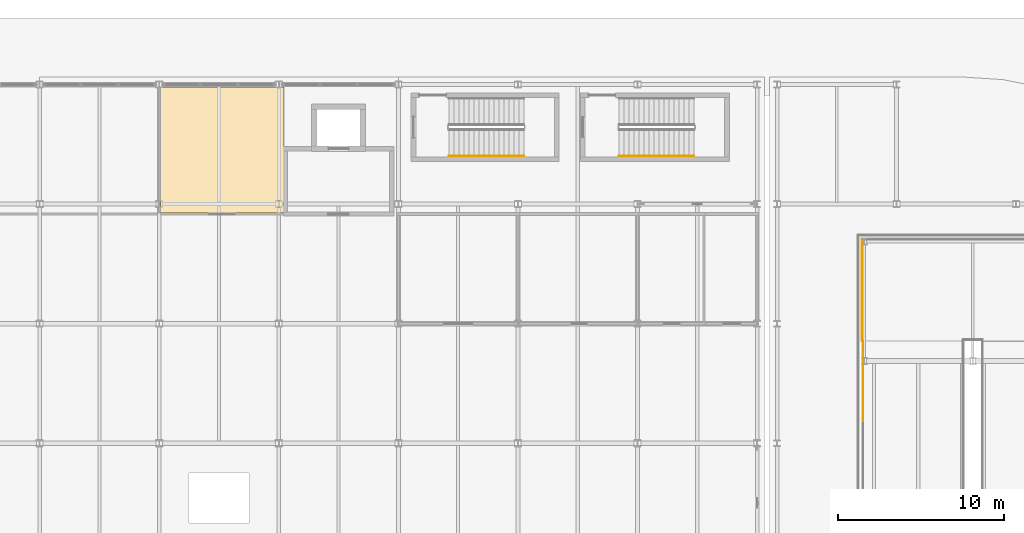
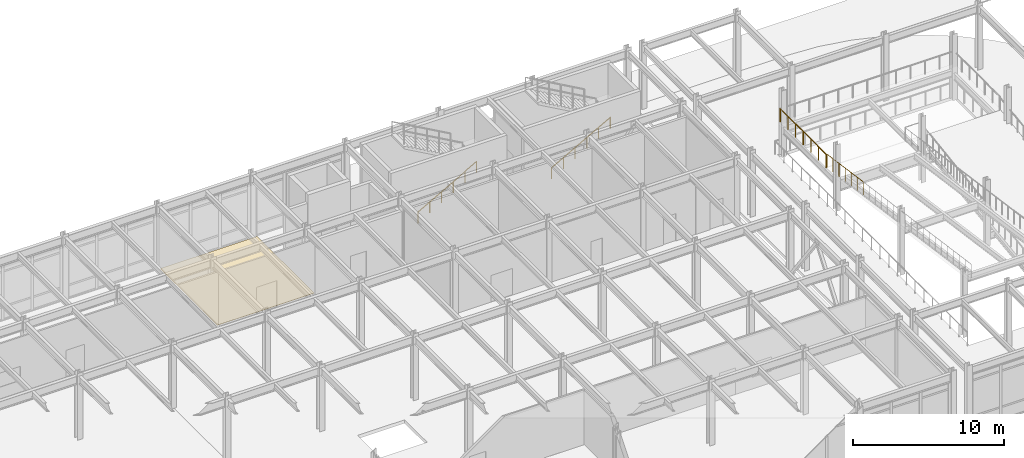
# One storey, part 94 of 104: 4 railings, 1 covering.
"""IFC4 building model written with IfcOpenShell, lengths in metres."""

from ifc_helpers import new_model, si_unit, direction, frame, origin, origin_2d, place, context, subcontext, project, spatial, polyline, circle, outline, extrude, material, layer, layer_set, type_object, element, save


model = new_model("IFC4")

# Units and contexts
model_context = context("Model", 3, precision=1e-05, world=origin(), true_north=direction((0.0, 1.0)))
body_context = subcontext(model_context, "Body", "Model", "MODEL_VIEW")
ifc_project = project(units=[si_unit("LENGTHUNIT", "METRE"), si_unit("AREAUNIT", "SQUARE_METRE"), si_unit("VOLUMEUNIT", "CUBIC_METRE"), si_unit("PLANEANGLEUNIT", "RADIAN"), si_unit("MASSUNIT", "GRAM", prefix="KILO")], contexts=[model_context])

# Site, building, storey
site_placement = place(None, origin())
site = spatial("IfcSite", under=ifc_project, at=site_placement, CompositionType="ELEMENT")
building_placement = place(site_placement, origin())
building = spatial("IfcBuilding", under=site, at=building_placement, Name="Vaelcorin Mobility Hub", CompositionType="ELEMENT")
storey_placement = place(building_placement, origin())
storey = spatial("IfcBuildingStorey", under=building, at=storey_placement, Name="L00", CompositionType="ELEMENT", Elevation=0.0)

# Covering
ifc_material_1 = material(Name="Polished epoxy-terrazzo concourse flooring")
ifc_layer_1 = layer(ifc_material_1, 0.02587890625)
ifc_layer_set_1 = layer_set([ifc_layer_1], Name="Polished epoxy-terrazzo concourse flooring")
covering_type = type_object("IfcCoveringType", Name="COV-FLR-2", PredefinedType="FLOORING", material=ifc_layer_set_1)
covering_placement = place(storey_placement, origin())
element("IfcCovering", 1, at=covering_placement, inside=storey, type_object=covering_type, Name="Transit Security Operations Room Finish Flooring", PredefinedType="FLOORING", context=body_context, shape_type="SweptSolid", body=[
    extrude(outline(polyline([(86.5400390625, 112.280029296875), (86.533935546875, 112.280029296875), (86.528076171875, 112.281005859375), (86.52294921875, 112.282958984375), (86.51708984375, 112.284912109375), (86.511962890625, 112.287109375), (86.507080078125, 112.2900390625), (86.501953125, 112.2939453125), (86.498046875, 112.298095703125), (86.493896484375, 112.302001953125), (86.489990234375, 112.306884765625), (86.487060546875, 112.31201171875), (86.485107421875, 112.31689453125), (86.48291015625, 112.322998046875), (86.48095703125, 112.327880859375), (86.47998046875, 112.333984375), (86.47998046875, 112.340087890625), (86.47998046875, 119.800048828125), (86.47998046875, 119.805908203125), (86.48095703125, 119.81201171875), (86.48291015625, 119.81689453125), (86.485107421875, 119.822998046875), (86.487060546875, 119.827880859375), (86.489990234375, 119.8330078125), (86.493896484375, 119.837890625), (86.498046875, 119.842041015625), (86.501953125, 119.845947265625), (86.507080078125, 119.85009765625), (86.511962890625, 119.85302734375), (86.51708984375, 119.85498046875), (86.52294921875, 119.85693359375), (86.528076171875, 119.85888671875), (86.533935546875, 119.860107421875), (86.5400390625, 119.860107421875), (93.860107421875, 119.860107421875), (93.865966796875, 119.860107421875), (93.8720703125, 119.85888671875), (93.876953125, 119.85693359375), (93.883056640625, 119.85498046875), (93.887939453125, 119.85302734375), (93.89306640625, 119.85009765625), (93.89794921875, 119.845947265625), (93.902099609375, 119.842041015625), (93.906005859375, 119.837890625), (93.909912109375, 119.8330078125), (93.9130859375, 119.827880859375), (93.9150390625, 119.822998046875), (93.9169921875, 119.81689453125), (93.9189453125, 119.81201171875), (93.919921875, 119.805908203125), (93.919921875, 119.800048828125), (93.919921875, 112.340087890625), (93.919921875, 112.333984375), (93.9189453125, 112.327880859375), (93.9169921875, 112.322998046875), (93.9150390625, 112.31689453125), (93.9130859375, 112.31201171875), (93.909912109375, 112.306884765625), (93.906005859375, 112.302001953125), (93.902099609375, 112.298095703125), (93.89794921875, 112.2939453125), (93.89306640625, 112.2900390625), (93.887939453125, 112.287109375), (93.883056640625, 112.284912109375), (93.876953125, 112.282958984375), (93.8720703125, 112.281005859375), (93.865966796875, 112.280029296875), (93.860107421875, 112.280029296875), (86.5400390625, 112.280029296875)])), origin(), (0.0, 0.0, 1.0), 0.02587890625),
])

# Railings
ifc_material_2 = material(Name="Galvanised structural steel ASTM A36", Category="steel")
ifc_layer_2 = layer(ifc_material_2, 0.070068359375)
ifc_layer_set_2 = layer_set([ifc_layer_2], Name="Galvanised structural steel ASTM A36")
railing_type_1 = type_object("IfcRailingType", Name="RL-GUARD-1100", PredefinedType="BALUSTRADE", material=ifc_layer_set_2)
railing_1_placement = place(storey_placement, frame((128.780029296875, 104.5400390625, 2.699951171875)))
element("IfcRailing", 2, at=railing_1_placement, inside=storey, type_object=railing_type_1, Name="L00 Ramp Guard GR-V2E-L00-FL2-W-01", PredefinedType="BALUSTRADE", context=body_context, shape_type="SweptSolid", body=[
    extrude(circle(Radius=0.02392578125, at=origin_2d()), frame((0.0, 0.0, 1.076171875), z_axis=(0.0, -0.990234839535, 0.139409334588), x_axis=(1.0, 0.0, 0.0)), (0.0, 0.0, 1.0), 4.84228515625),
    extrude(circle(Radius=0.02099609375, at=origin_2d()), origin(), (0.0, 0.0, 1.0), 1.052001953125),
    extrude(circle(Radius=0.02099609375, at=origin_2d()), frame((0.0, -0.799072265625, 0.112548828125)), (0.0, 0.0, 1.0), 1.052001953125),
    extrude(circle(Radius=0.02099609375, at=origin_2d()), frame((0.0, -1.598388671875, 0.22509765625)), (0.0, 0.0, 1.0), 1.052001953125),
    extrude(circle(Radius=0.02099609375, at=origin_2d()), frame((0.0, -2.3974609375, 0.33740234375)), (0.0, 0.0, 1.0), 1.052001953125),
    extrude(circle(Radius=0.02099609375, at=origin_2d()), frame((0.0, -3.196533203125, 0.449951171875)), (0.0, 0.0, 1.0), 1.052001953125),
    extrude(circle(Radius=0.02099609375, at=origin_2d()), frame((0.0, -3.995849609375, 0.5625)), (0.0, 0.0, 1.0), 1.052001953125),
    extrude(circle(Radius=0.02099609375, at=origin_2d()), frame((0.0, -4.794921875, 0.675048828125)), (0.0, 0.0, 1.0), 1.052001953125),
])
railing_2_placement = place(storey_placement, frame((128.72998046875, 104.56005859375, 2.699951171875)))
element("IfcRailing", 3, at=railing_2_placement, inside=storey, type_object=railing_type_1, Name="L00 Perimeter Guard GR-V2E-L00-LND-01", PredefinedType="BALUSTRADE", context=body_context, shape_type="SweptSolid", body=[
    extrude(circle(Radius=0.02392578125, at=origin_2d()), frame((0.0, 0.0, 1.076171875), z_axis=(0.0, 1.0, 0.0), x_axis=(-1.0, 0.0, 0.0)), (0.0, 0.0, 1.0), 6.10986328125),
    extrude(circle(Radius=0.02099609375, at=origin_2d()), origin(), (0.0, 0.0, 1.0), 1.052001953125),
    extrude(circle(Radius=0.02099609375, at=origin_2d()), frame((0.0, 1.018310546875, 0.0)), (0.0, 0.0, 1.0), 1.052001953125),
    extrude(circle(Radius=0.02099609375, at=origin_2d()), frame((0.0, 2.03662109375, 0.0)), (0.0, 0.0, 1.0), 1.052001953125),
    extrude(circle(Radius=0.02099609375, at=origin_2d()), frame((0.0, 3.054931640625, 0.0)), (0.0, 0.0, 1.0), 1.052001953125),
    extrude(circle(Radius=0.02099609375, at=origin_2d()), frame((0.0, 4.0732421875, 0.0)), (0.0, 0.0, 1.0), 1.052001953125),
    extrude(circle(Radius=0.02099609375, at=origin_2d()), frame((0.0, 5.091552734375, 0.0)), (0.0, 0.0, 1.0), 1.052001953125),
    extrude(circle(Radius=0.02099609375, at=origin_2d()), frame((0.0, 6.10986328125, 0.0)), (0.0, 0.0, 1.0), 1.052001953125),
])
ifc_material_3 = material(Name="Brushed stainless steel 316L", Category="steel")
ifc_layer_3 = layer(ifc_material_3, 0.048095703125)
ifc_layer_set_3 = layer_set([ifc_layer_3], Name="Brushed stainless steel 316L")
railing_type_2 = type_object("IfcRailingType", Name="RL-STAIR-HR", PredefinedType="HANDRAIL", material=ifc_layer_set_3)
for number, where, name in (
    (4, (103.85009765625, 115.699951171875, 0.168701171875), "L00 ST4 stair handrail 1"),
    (5, (114.10009765625, 115.699951171875, 0.168701171875), "L00 ST9 stair handrail 1"),
):
    element("IfcRailing", number, at=place(storey_placement, frame(where)), inside=storey, type_object=railing_type_2, Name=name, PredefinedType="HANDRAIL", context=body_context, shape_type="SweptSolid", body=[
        extrude(circle(Radius=0.02392578125, at=origin_2d()), frame((0.0, 0.0, 0.8759765625), z_axis=(0.871575537125, 0.0, 0.490261239633), x_axis=(0.0, 1.0, 0.0)), (0.0, 0.0, 1.0), 5.1630859375),
        extrude(circle(Radius=0.02099609375, at=origin_2d()), origin(), (0.0, 0.0, 1.0), 0.851806640625),
        extrude(circle(Radius=0.02099609375, at=origin_2d()), frame((0.89990234375, 0.0, 0.50634765625)), (0.0, 0.0, 1.0), 0.851806640625),
        extrude(circle(Radius=0.02099609375, at=origin_2d()), frame((1.800048828125, 0.0, 1.012451171875)), (0.0, 0.0, 1.0), 0.851806640625),
        extrude(circle(Radius=0.02099609375, at=origin_2d()), frame((2.699951171875, 0.0, 1.518798828125)), (0.0, 0.0, 1.0), 0.851806640625),
        extrude(circle(Radius=0.02099609375, at=origin_2d()), frame((3.60009765625, 0.0, 2.02490234375)), (0.0, 0.0, 1.0), 0.851806640625),
        extrude(circle(Radius=0.02099609375, at=origin_2d()), frame((4.5, 0.0, 2.53125)), (0.0, 0.0, 1.0), 0.851806640625),
    ])

save(model, "model.ifc")
